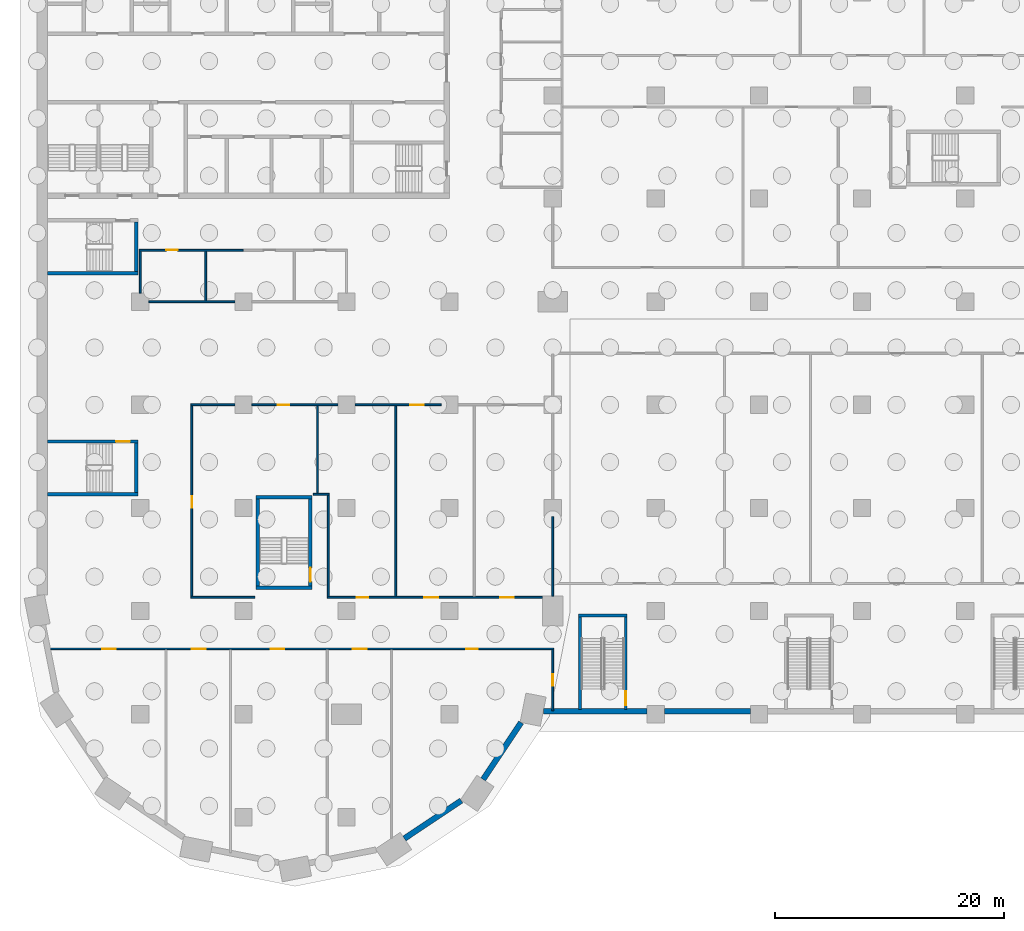
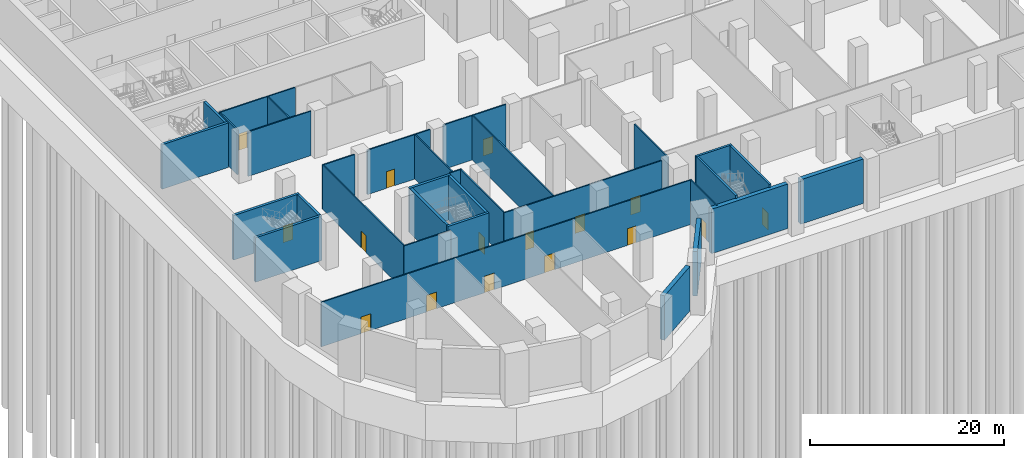
# One storey, part 4 of 25: 33 walls, 16 doors, 16 openings.
"""IFC4 building model written with IfcOpenShell, lengths in metres."""

from ifc_helpers import new_model, si_unit, direction, frame, frame_2d, origin, place, context, subcontext, project, spatial, rectangle, extrude, material, layer, layer_set, type_object, element, fill, save


model = new_model("IFC4")

# Units and contexts
model_context = context("Model", 3, precision=1e-05, world=origin(), true_north=direction((0.0, 1.0)))
body_context = subcontext(model_context, "Body", "Model", "MODEL_VIEW")
ifc_project = project(units=[si_unit("LENGTHUNIT", "METRE"), si_unit("AREAUNIT", "SQUARE_METRE"), si_unit("VOLUMEUNIT", "CUBIC_METRE"), si_unit("PLANEANGLEUNIT", "RADIAN"), si_unit("MASSUNIT", "GRAM", prefix="KILO")], contexts=[model_context])

# Site, building, storey
site_placement = place(None, origin())
site = spatial("IfcSite", under=ifc_project, at=site_placement, CompositionType="ELEMENT")
building_placement = place(site_placement, origin())
building = spatial("IfcBuilding", under=site, at=building_placement, Name="Hunhe Ridgeline Campus", CompositionType="ELEMENT")
storey_placement = place(building_placement, frame((0.0, 0.0, -6.0)))
storey = spatial("IfcBuildingStorey", under=building, at=storey_placement, Name="B1", CompositionType="ELEMENT", Elevation=-6.0)

# Walls
ifc_material_1 = material(Name="Concrete C50", Category="concrete")
ifc_layer_1 = layer(ifc_material_1, 0.5)
ifc_layer_set_1 = layer_set([ifc_layer_1], Name="Basement perimeter wall 500 C50")
wall_type_1 = type_object("IfcWallType", Name="Basement perimeter wall 500 C50", PredefinedType="SOLIDWALL", material=ifc_layer_set_1)
for number, where, z_axis, x_axis, name in (
    (1, (32.052490234375, 7.142822265625, 0.0), (0.0, 0.0, 1.0), (0.831458255421, 0.555587229417, 0.0), "Basement perimeter wall"),
    (2, (38.92431640625, 12.309814453125, 0.0), (0.0, 0.0, 1.0), (0.555540053211, 0.831489777014, 0.0), "Basement perimeter wall"),
):
    element("IfcWall", number, at=place(storey_placement, frame(where, z_axis=z_axis, x_axis=x_axis)), inside=storey, type_object=wall_type_1, Name=name, PredefinedType="SOLIDWALL", context=body_context, shape_type="SweptSolid", body=[
        extrude(rectangle(XDim=5.96826171875, YDim=0.5, at=frame_2d((2.984130859375, 0.0))), origin(), (0.0, 0.0, 1.0), 5.60009765625),
    ])
wall_1_placement = place(storey_placement, frame((44.177001953125, 18.25, 0.0), z_axis=(0.0, 0.0, 1.0), x_axis=(1.0, 0.0, 0.0)))
element("IfcWall", 3, at=wall_1_placement, inside=storey, type_object=wall_type_1, Name="Basement perimeter wall", PredefinedType="SOLIDWALL", context=body_context, shape_type="SweptSolid", body=[
    extrude(rectangle(XDim=9.072998046875, YDim=0.5, at=frame_2d((4.53662109375, 0.0))), origin(), (0.0, 0.0, 1.0), 5.60009765625),
])
wall_2_placement = place(storey_placement, frame((54.75, 18.25, 0.0), z_axis=(0.0, 0.0, 1.0), x_axis=(1.0, 0.0, 0.0)))
element("IfcWall", 4, at=wall_2_placement, inside=storey, type_object=wall_type_1, Name="Basement perimeter wall", PredefinedType="SOLIDWALL", context=body_context, shape_type="SweptSolid", body=[
    extrude(rectangle(XDim=7.5, YDim=0.5, at=frame_2d((3.75, 0.0))), origin(), (0.0, 0.0, 1.0), 5.60009765625),
])

# Wall, openings, doors
ifc_material_2 = material(Name="Plastered blockwork", Category="masonry")
ifc_layer_2 = layer(ifc_material_2, 0.14990234375)
ifc_layer_set_2 = layer_set([ifc_layer_2], Name="Blockwork partition 150")
wall_type_2 = type_object("IfcWallType", Name="Blockwork partition 150", PredefinedType="PARTITIONING", material=ifc_layer_set_2)
wall_3_placement = place(storey_placement, frame((0.96240234375, 23.699951171875, 0.0), z_axis=(0.0, 0.0, 1.0), x_axis=(1.0, 0.0, 0.0)))
wall_3 = element("IfcWall", 5, at=wall_3_placement, inside=storey, type_object=wall_type_2, Name="B1 partition", PredefinedType="PARTITIONING", context=body_context, shape_type="SweptSolid", body=[
    extrude(rectangle(XDim=44.112548828125, YDim=0.14990234375, at=frame_2d((22.05615234375, 0.0))), origin(), (0.0, 0.0, 1.0), 5.60009765625),
])
opening_1_placement = place(wall_3_placement, frame((4.70361328125, 0.0, 0.0)))
opening_1 = element("IfcOpeningElement", 6, at=opening_1_placement, cuts=wall_3, Name="Opening PD004", PredefinedType="OPENING", context=body_context, shape_type="SweptSolid", body=[
    extrude(rectangle(XDim=1.199951171875, YDim=2.10009765625, at=frame_2d((0.60009765625, 1.050048828125))), frame((0.0, 0.074951171875, 0.0), z_axis=(0.0, -1.0, 0.0), x_axis=(1.0, 0.0, 0.0)), (0.0, 0.0, 1.0), 0.14990234375),
])
opening_2_placement = place(wall_3_placement, frame((12.53759765625, 0.0, 0.0)))
opening_2 = element("IfcOpeningElement", 7, at=opening_2_placement, cuts=wall_3, Name="Opening PD005", PredefinedType="OPENING", context=body_context, shape_type="SweptSolid", body=[
    extrude(rectangle(XDim=1.199951171875, YDim=2.10009765625, at=frame_2d((0.60009765625, 1.050048828125))), frame((0.0, 0.074951171875, 0.0), z_axis=(0.0, -1.0, 0.0), x_axis=(1.0, 0.0, 0.0)), (0.0, 0.0, 1.0), 0.14990234375),
])
opening_3_placement = place(wall_3_placement, frame((19.41259765625, 0.0, 0.0)))
opening_3 = element("IfcOpeningElement", 8, at=opening_3_placement, cuts=wall_3, Name="Opening PD006", PredefinedType="OPENING", context=body_context, shape_type="SweptSolid", body=[
    extrude(rectangle(XDim=1.199951171875, YDim=2.10009765625, at=frame_2d((0.60009765625, 1.050048828125))), frame((0.0, 0.074951171875, 0.0), z_axis=(0.0, -1.0, 0.0), x_axis=(1.0, 0.0, 0.0)), (0.0, 0.0, 1.0), 0.14990234375),
])
opening_4_placement = place(wall_3_placement, frame((26.599609375, 0.0, 0.0)))
opening_4 = element("IfcOpeningElement", 9, at=opening_4_placement, cuts=wall_3, Name="Opening PD007", PredefinedType="OPENING", context=body_context, shape_type="SweptSolid", body=[
    extrude(rectangle(XDim=1.199951171875, YDim=2.10009765625, at=frame_2d((0.60009765625, 1.050048828125))), frame((0.0, 0.074951171875, 0.0), z_axis=(0.0, -1.0, 0.0), x_axis=(1.0, 0.0, 0.0)), (0.0, 0.0, 1.0), 0.14990234375),
])
opening_5_placement = place(wall_3_placement, frame((36.4755859375, 0.0, 0.0)))
opening_5 = element("IfcOpeningElement", 10, at=opening_5_placement, cuts=wall_3, Name="Opening PD008", PredefinedType="OPENING", context=body_context, shape_type="SweptSolid", body=[
    extrude(rectangle(XDim=1.0, YDim=2.10009765625, at=frame_2d((0.5, 1.050048828125))), frame((0.0, 0.074951171875, 0.0), z_axis=(0.0, -1.0, 0.0), x_axis=(1.0, 0.0, 0.0)), (0.0, 0.0, 1.0), 0.14990234375),
])
ifc_material_3 = material(Name="Steel Q235", Category="steel")
door_type_1 = type_object("IfcDoorType", Name="Podium fire door 1200x2100 FD60", OperationType="NOTDEFINED", PredefinedType="DOOR", material=ifc_material_3)
door_1_placement = place(opening_1_placement, origin())
door_1 = element("IfcDoor", 11, at=door_1_placement, inside=storey, type_object=door_type_1, Name="Heat Exchanger Plant door", OperationType="SINGLE_SWING_LEFT", OverallHeight=2.10009765625, OverallWidth=1.199951171875, PredefinedType="DOOR", context=body_context, shape_type="SweptSolid", body=[
    extrude(rectangle(XDim=1.199951171875, YDim=2.10009765625, at=frame_2d((0.60009765625, 1.050048828125))), frame((0.0, 0.02490234375, 0.0), z_axis=(0.0, -1.0, 0.0), x_axis=(1.0, 0.0, 0.0)), (0.0, 0.0, 1.0), 0.050048828125),
])
fill(opening_1, door_1)
door_2_placement = place(opening_2_placement, origin())
door_2 = element("IfcDoor", 12, at=door_2_placement, inside=storey, type_object=door_type_1, Name="Electrical Switch Room door", OperationType="SINGLE_SWING_LEFT", OverallHeight=2.10009765625, OverallWidth=1.199951171875, PredefinedType="DOOR", context=body_context, shape_type="SweptSolid", body=[
    extrude(rectangle(XDim=1.199951171875, YDim=2.10009765625, at=frame_2d((0.60009765625, 1.050048828125))), frame((0.0, 0.02490234375, 0.0), z_axis=(0.0, -1.0, 0.0), x_axis=(1.0, 0.0, 0.0)), (0.0, 0.0, 1.0), 0.050048828125),
])
fill(opening_2, door_2)
door_3_placement = place(opening_3_placement, origin())
door_3 = element("IfcDoor", 13, at=door_3_placement, inside=storey, type_object=door_type_1, Name="Water Tank Plant Room door", OperationType="SINGLE_SWING_LEFT", OverallHeight=2.10009765625, OverallWidth=1.199951171875, PredefinedType="DOOR", context=body_context, shape_type="SweptSolid", body=[
    extrude(rectangle(XDim=1.199951171875, YDim=2.10009765625, at=frame_2d((0.60009765625, 1.050048828125))), frame((0.0, 0.02490234375, 0.0), z_axis=(0.0, -1.0, 0.0), x_axis=(1.0, 0.0, 0.0)), (0.0, 0.0, 1.0), 0.050048828125),
])
fill(opening_3, door_3)
door_4_placement = place(opening_4_placement, origin())
door_4 = element("IfcDoor", 14, at=door_4_placement, inside=storey, type_object=door_type_1, Name="Sprinkler Pump Plant Room door", OperationType="SINGLE_SWING_RIGHT", OverallHeight=2.10009765625, OverallWidth=1.199951171875, PredefinedType="DOOR", context=body_context, shape_type="SweptSolid", body=[
    extrude(rectangle(XDim=1.199951171875, YDim=2.10009765625, at=frame_2d((0.60009765625, 1.050048828125))), frame((0.0, 0.02490234375, 0.0), z_axis=(0.0, -1.0, 0.0), x_axis=(1.0, 0.0, 0.0)), (0.0, 0.0, 1.0), 0.050048828125),
])
fill(opening_4, door_4)
ifc_material_4 = material(Name="Timber", Category="wood")
door_type_2 = type_object("IfcDoorType", Name="Podium timber door 1000x2100", OperationType="NOTDEFINED", PredefinedType="DOOR", material=ifc_material_4)
door_5_placement = place(opening_5_placement, origin())
door_5 = element("IfcDoor", 15, at=door_5_placement, inside=storey, type_object=door_type_2, Name="Bicycle Store door", OperationType="SINGLE_SWING_RIGHT", OverallHeight=2.10009765625, OverallWidth=1.0, PredefinedType="DOOR", context=body_context, shape_type="SweptSolid", body=[
    extrude(rectangle(XDim=1.0, YDim=2.10009765625, at=frame_2d((0.5, 1.050048828125))), frame((0.0, 0.02490234375, 0.0), z_axis=(0.0, -1.0, 0.0), x_axis=(1.0, 0.0, 0.0)), (0.0, 0.0, 1.0), 0.050048828125),
])
fill(opening_5, door_5)

# Wall, opening, door
wall_4_placement = place(storey_placement, frame((45.0, 23.625, 0.0), z_axis=(0.0, 0.0, 1.0), x_axis=(0.0, -1.0, 0.0)))
wall_4 = element("IfcWall", 16, at=wall_4_placement, inside=storey, type_object=wall_type_2, Name="B1 partition", PredefinedType="PARTITIONING", context=body_context, shape_type="SweptSolid", body=[
    extrude(rectangle(XDim=5.324951171875, YDim=0.14990234375, at=frame_2d((2.66259765625, 0.0))), origin(), (0.0, 0.0, 1.0), 5.60009765625),
])
opening_6_placement = place(wall_4_placement, frame((2.125, 0.0, 0.0)))
opening_6 = element("IfcOpeningElement", 17, at=opening_6_placement, cuts=wall_4, Name="Opening PD009", PredefinedType="OPENING", context=body_context, shape_type="SweptSolid", body=[
    extrude(rectangle(XDim=1.0, YDim=2.10009765625, at=frame_2d((0.5, 1.050048828125))), frame((0.0, 0.074951171875, 0.0), z_axis=(0.0, -1.0, 0.0), x_axis=(1.0, 0.0, 0.0)), (0.0, 0.0, 1.0), 0.14990234375),
])
door_6_placement = place(opening_6_placement, origin())
door_6 = element("IfcDoor", 18, at=door_6_placement, inside=storey, type_object=door_type_2, Name="Bicycle Store door", OperationType="SINGLE_SWING_LEFT", OverallHeight=2.10009765625, OverallWidth=1.0, PredefinedType="DOOR", context=body_context, shape_type="SweptSolid", body=[
    extrude(rectangle(XDim=1.0, YDim=2.10009765625, at=frame_2d((0.5, 1.050048828125))), frame((0.0, 0.02490234375, 0.0), z_axis=(0.0, -1.0, 0.0), x_axis=(1.0, 0.0, 0.0)), (0.0, 0.0, 1.0), 0.050048828125),
])
fill(opening_6, door_6)

# Walls
wall_5_placement = place(storey_placement, frame((45.0, 28.300048828125, 0.0), z_axis=(0.0, 0.0, 1.0), x_axis=(0.0, 1.0, 0.0)))
element("IfcWall", 19, at=wall_5_placement, inside=storey, type_object=wall_type_2, Name="B1 partition", PredefinedType="PARTITIONING", context=body_context, shape_type="SweptSolid", body=[
    extrude(rectangle(XDim=6.949951171875, YDim=0.14990234375, at=frame_2d((3.47509765625, 0.0))), origin(), (0.0, 0.0, 1.0), 5.60009765625),
])
wall_6_placement = place(storey_placement, frame((24.45703125, 37.27490234375, 0.0), z_axis=(0.0, 0.0, 1.0), x_axis=(0.0, 1.0, 0.0)))
element("IfcWall", 20, at=wall_6_placement, inside=storey, type_object=wall_type_2, Name="B1 partition", PredefinedType="PARTITIONING", context=body_context, shape_type="SweptSolid", body=[
    extrude(rectangle(XDim=7.650146484375, YDim=0.14990234375, at=frame_2d((3.8251953125, 0.0))), origin(), (0.0, 0.0, 1.0), 5.60009765625),
])
wall_7_placement = place(storey_placement, frame((25.47509765625, 37.199951171875, 0.0), z_axis=(0.0, 0.0, 1.0), x_axis=(-1.0, 0.0, 0.0)))
element("IfcWall", 21, at=wall_7_placement, inside=storey, type_object=wall_type_2, Name="B1 partition", PredefinedType="PARTITIONING", context=body_context, shape_type="SweptSolid", body=[
    extrude(rectangle(XDim=1.375, YDim=0.14990234375, at=frame_2d((0.6875, 0.0))), origin(), (0.0, 0.0, 1.0), 5.60009765625),
])
wall_8_placement = place(storey_placement, frame((19.0, 28.199951171875, 0.0), z_axis=(0.0, 0.0, 1.0), x_axis=(-1.0, 0.0, 0.0)))
element("IfcWall", 22, at=wall_8_placement, inside=storey, type_object=wall_type_2, Name="B1 partition", PredefinedType="PARTITIONING", context=body_context, shape_type="SweptSolid", body=[
    extrude(rectangle(XDim=5.574951171875, YDim=0.14990234375, at=frame_2d((2.78759765625, 0.0))), origin(), (0.0, 0.0, 1.0), 5.60009765625),
])

# Wall, openings, doors
wall_9_placement = place(storey_placement, frame((44.10009765625, 28.199951171875, 0.0), z_axis=(0.0, 0.0, 1.0), x_axis=(-1.0, 0.0, 0.0)))
wall_9 = element("IfcWall", 23, at=wall_9_placement, inside=storey, type_object=wall_type_2, Name="B1 partition", PredefinedType="PARTITIONING", context=body_context, shape_type="SweptSolid", body=[
    extrude(rectangle(XDim=18.775146484375, YDim=0.14990234375, at=frame_2d((9.3876953125, 0.0))), origin(), (0.0, 0.0, 1.0), 5.60009765625),
])
opening_7_placement = place(wall_9_placement, frame((15.199951171875, 0.0, 0.0)))
opening_7 = element("IfcOpeningElement", 24, at=opening_7_placement, cuts=wall_9, Name="Opening PD020", PredefinedType="OPENING", context=body_context, shape_type="SweptSolid", body=[
    extrude(rectangle(XDim=1.0, YDim=2.10009765625, at=frame_2d((0.5, 1.050048828125))), frame((0.0, 0.074951171875, 0.0), z_axis=(0.0, -1.0, 0.0), x_axis=(1.0, 0.0, 0.0)), (0.0, 0.0, 1.0), 0.14990234375),
])
opening_8_placement = place(wall_9_placement, frame((9.095947265625, 0.0, 0.0)))
opening_8 = element("IfcOpeningElement", 25, at=opening_8_placement, cuts=wall_9, Name="Opening PD021", PredefinedType="OPENING", context=body_context, shape_type="SweptSolid", body=[
    extrude(rectangle(XDim=1.199951171875, YDim=2.10009765625, at=frame_2d((0.60009765625, 1.050048828125))), frame((0.0, 0.074951171875, 0.0), z_axis=(0.0, -1.0, 0.0), x_axis=(1.0, 0.0, 0.0)), (0.0, 0.0, 1.0), 0.14990234375),
])
opening_9_placement = place(wall_9_placement, frame((2.498046875, 0.0, 0.0)))
opening_9 = element("IfcOpeningElement", 26, at=opening_9_placement, cuts=wall_9, Name="Opening PD024", PredefinedType="OPENING", context=body_context, shape_type="SweptSolid", body=[
    extrude(rectangle(XDim=1.199951171875, YDim=2.10009765625, at=frame_2d((0.60009765625, 1.050048828125))), frame((0.0, 0.074951171875, 0.0), z_axis=(0.0, -1.0, 0.0), x_axis=(1.0, 0.0, 0.0)), (0.0, 0.0, 1.0), 0.14990234375),
])
door_7_placement = place(opening_8_placement, origin())
door_7 = element("IfcDoor", 27, at=door_7_placement, inside=storey, type_object=door_type_1, Name="Electrical Intake Room door", OperationType="SINGLE_SWING_RIGHT", OverallHeight=2.10009765625, OverallWidth=1.199951171875, PredefinedType="DOOR", context=body_context, shape_type="SweptSolid", body=[
    extrude(rectangle(XDim=1.199951171875, YDim=2.10009765625, at=frame_2d((0.60009765625, 1.050048828125))), frame((0.0, 0.02490234375, 0.0), z_axis=(0.0, -1.0, 0.0), x_axis=(1.0, 0.0, 0.0)), (0.0, 0.0, 1.0), 0.050048828125),
])
fill(opening_8, door_7)
door_8_placement = place(opening_9_placement, origin())
door_8 = element("IfcDoor", 28, at=door_8_placement, inside=storey, type_object=door_type_1, Name="Communications Room door", OperationType="SINGLE_SWING_LEFT", OverallHeight=2.10009765625, OverallWidth=1.199951171875, PredefinedType="DOOR", context=body_context, shape_type="SweptSolid", body=[
    extrude(rectangle(XDim=1.199951171875, YDim=2.10009765625, at=frame_2d((0.60009765625, 1.050048828125))), frame((0.0, 0.02490234375, 0.0), z_axis=(0.0, -1.0, 0.0), x_axis=(1.0, 0.0, 0.0)), (0.0, 0.0, 1.0), 0.050048828125),
])
fill(opening_9, door_8)
door_9_placement = place(opening_7_placement, origin())
door_9 = element("IfcDoor", 29, at=door_9_placement, inside=storey, type_object=door_type_2, Name="Staff Rest Room door", OperationType="SINGLE_SWING_RIGHT", OverallHeight=2.10009765625, OverallWidth=1.0, PredefinedType="DOOR", context=body_context, shape_type="SweptSolid", body=[
    extrude(rectangle(XDim=1.0, YDim=2.10009765625, at=frame_2d((0.5, 1.050048828125))), frame((0.0, 0.02490234375, 0.0), z_axis=(0.0, -1.0, 0.0), x_axis=(1.0, 0.0, 0.0)), (0.0, 0.0, 1.0), 0.050048828125),
])
fill(opening_7, door_9)

# Wall, opening, door
wall_10_placement = place(storey_placement, frame((13.5, 28.27490234375, 0.0), z_axis=(0.0, 0.0, 1.0), x_axis=(0.0, 1.0, 0.0)))
wall_10 = element("IfcWall", 30, at=wall_10_placement, inside=storey, type_object=wall_type_2, Name="B1 partition", PredefinedType="PARTITIONING", context=body_context, shape_type="SweptSolid", body=[
    extrude(rectangle(XDim=16.650146484375, YDim=0.14990234375, at=frame_2d((8.3251953125, 0.0))), origin(), (0.0, 0.0, 1.0), 5.60009765625),
])
opening_10_placement = place(wall_10_placement, frame((7.75, 0.0, 0.0)))
opening_10 = element("IfcOpeningElement", 31, at=opening_10_placement, cuts=wall_10, Name="Opening PD018", PredefinedType="OPENING", context=body_context, shape_type="SweptSolid", body=[
    extrude(rectangle(XDim=1.0, YDim=2.10009765625, at=frame_2d((0.5, 1.050048828125))), frame((0.0, 0.074951171875, 0.0), z_axis=(0.0, -1.0, 0.0), x_axis=(1.0, 0.0, 0.0)), (0.0, 0.0, 1.0), 0.14990234375),
])
door_10_placement = place(opening_10_placement, origin())
door_10 = element("IfcDoor", 32, at=door_10_placement, inside=storey, type_object=door_type_2, Name="Staff Locker Room door", OperationType="SINGLE_SWING_LEFT", OverallHeight=2.10009765625, OverallWidth=1.0, PredefinedType="DOOR", context=body_context, shape_type="SweptSolid", body=[
    extrude(rectangle(XDim=1.0, YDim=2.10009765625, at=frame_2d((0.5, 1.050048828125))), frame((0.0, 0.02490234375, 0.0), z_axis=(0.0, -1.0, 0.0), x_axis=(1.0, 0.0, 0.0)), (0.0, 0.0, 1.0), 0.050048828125),
])
fill(opening_10, door_10)

# Wall
wall_11_placement = place(storey_placement, frame((13.425048828125, 45.0, 0.0), z_axis=(0.0, 0.0, 1.0), x_axis=(1.0, 0.0, 0.0)))
element("IfcWall", 33, at=wall_11_placement, inside=storey, type_object=wall_type_2, Name="B1 partition", PredefinedType="PARTITIONING", context=body_context, shape_type="SweptSolid", body=[
    extrude(rectangle(XDim=3.824951171875, YDim=0.14990234375, at=frame_2d((1.91259765625, 0.0))), origin(), (0.0, 0.0, 1.0), 5.60009765625),
])

# Wall, opening, door
wall_12_placement = place(storey_placement, frame((18.75, 45.0, 0.0), z_axis=(0.0, 0.0, 1.0), x_axis=(1.0, 0.0, 0.0)))
wall_12 = element("IfcWall", 34, at=wall_12_placement, inside=storey, type_object=wall_type_2, Name="B1 partition", PredefinedType="PARTITIONING", context=body_context, shape_type="SweptSolid", body=[
    extrude(rectangle(XDim=7.5, YDim=0.14990234375, at=frame_2d((3.75, 0.0))), origin(), (0.0, 0.0, 1.0), 5.60009765625),
])
opening_11_placement = place(wall_12_placement, frame((2.25, 0.0, 0.0)))
opening_11 = element("IfcOpeningElement", 35, at=opening_11_placement, cuts=wall_12, Name="Opening PD019", PredefinedType="OPENING", context=body_context, shape_type="SweptSolid", body=[
    extrude(rectangle(XDim=1.0, YDim=2.10009765625, at=frame_2d((0.5, 1.050048828125))), frame((0.0, 0.074951171875, 0.0), z_axis=(0.0, -1.0, 0.0), x_axis=(1.0, 0.0, 0.0)), (0.0, 0.0, 1.0), 0.14990234375),
])
door_11_placement = place(opening_11_placement, origin())
door_11 = element("IfcDoor", 36, at=door_11_placement, inside=storey, type_object=door_type_2, Name="Staff Locker Room door", OperationType="SINGLE_SWING_LEFT", OverallHeight=2.10009765625, OverallWidth=1.0, PredefinedType="DOOR", context=body_context, shape_type="SweptSolid", body=[
    extrude(rectangle(XDim=1.0, YDim=2.10009765625, at=frame_2d((0.5, 1.050048828125))), frame((0.0, 0.02490234375, 0.0), z_axis=(0.0, -1.0, 0.0), x_axis=(1.0, 0.0, 0.0)), (0.0, 0.0, 1.0), 0.050048828125),
])
fill(opening_11, door_11)

wall_13_placement = place(storey_placement, frame((27.75, 45.0, 0.0), z_axis=(0.0, 0.0, 1.0), x_axis=(1.0, 0.0, 0.0)))
wall_13 = element("IfcWall", 37, at=wall_13_placement, inside=storey, type_object=wall_type_2, Name="B1 partition", PredefinedType="PARTITIONING", context=body_context, shape_type="SweptSolid", body=[
    extrude(rectangle(XDim=7.5, YDim=0.14990234375, at=frame_2d((3.75, 0.0))), origin(), (0.0, 0.0, 1.0), 5.60009765625),
])
opening_12_placement = place(wall_13_placement, frame((4.803955078125, 0.0, 0.0)))
opening_12 = element("IfcOpeningElement", 38, at=opening_12_placement, cuts=wall_13, Name="Opening PD022", PredefinedType="OPENING", context=body_context, shape_type="SweptSolid", body=[
    extrude(rectangle(XDim=1.199951171875, YDim=2.10009765625, at=frame_2d((0.60009765625, 1.050048828125))), frame((0.0, 0.074951171875, 0.0), z_axis=(0.0, -1.0, 0.0), x_axis=(1.0, 0.0, 0.0)), (0.0, 0.0, 1.0), 0.14990234375),
])
door_12_placement = place(opening_12_placement, origin())
door_12 = element("IfcDoor", 39, at=door_12_placement, inside=storey, type_object=door_type_1, Name="Electrical Intake Room door", OperationType="SINGLE_SWING_RIGHT", OverallHeight=2.10009765625, OverallWidth=1.199951171875, PredefinedType="DOOR", context=body_context, shape_type="SweptSolid", body=[
    extrude(rectangle(XDim=1.199951171875, YDim=2.10009765625, at=frame_2d((0.60009765625, 1.050048828125))), frame((0.0, 0.02490234375, 0.0), z_axis=(0.0, -1.0, 0.0), x_axis=(1.0, 0.0, 0.0)), (0.0, 0.0, 1.0), 0.050048828125),
])
fill(opening_12, door_12)

# Walls
wall_14_placement = place(storey_placement, frame((31.303955078125, 28.27490234375, 0.0), z_axis=(0.0, 0.0, 1.0), x_axis=(0.0, 1.0, 0.0)))
element("IfcWall", 40, at=wall_14_placement, inside=storey, type_object=wall_type_2, Name="B1 partition", PredefinedType="PARTITIONING", context=body_context, shape_type="SweptSolid", body=[
    extrude(rectangle(XDim=16.650146484375, YDim=0.14990234375, at=frame_2d((8.3251953125, 0.0))), origin(), (0.0, 0.0, 1.0), 5.60009765625),
])
wall_15_placement = place(storey_placement, frame((25.39990234375, 28.27490234375, 0.0), z_axis=(0.0, 0.0, 1.0), x_axis=(0.0, 1.0, 0.0)))
element("IfcWall", 41, at=wall_15_placement, inside=storey, type_object=wall_type_2, Name="B1 partition", PredefinedType="PARTITIONING", context=body_context, shape_type="SweptSolid", body=[
    extrude(rectangle(XDim=8.85009765625, YDim=0.14990234375, at=frame_2d((4.425048828125, 0.0))), origin(), (0.0, 0.0, 1.0), 5.60009765625),
])
wall_16_placement = place(storey_placement, frame((14.714111328125, 54.074951171875, 0.0), z_axis=(0.0, 0.0, 1.0), x_axis=(0.0, 1.0, 0.0)))
element("IfcWall", 42, at=wall_16_placement, inside=storey, type_object=wall_type_2, Name="B1 partition", PredefinedType="PARTITIONING", context=body_context, shape_type="SweptSolid", body=[
    extrude(rectangle(XDim=4.35009765625, YDim=0.14990234375, at=frame_2d((2.175048828125, 0.0))), origin(), (0.0, 0.0, 1.0), 5.60009765625),
])
wall_17_placement = place(storey_placement, frame((17.25, 54.0, 0.0), z_axis=(0.0, 0.0, 1.0), x_axis=(-1.0, 0.0, 0.0)))
element("IfcWall", 43, at=wall_17_placement, inside=storey, type_object=wall_type_2, Name="B1 partition", PredefinedType="PARTITIONING", context=body_context, shape_type="SweptSolid", body=[
    extrude(rectangle(XDim=7.5, YDim=0.14990234375, at=frame_2d((3.75, 0.0))), origin(), (0.0, 0.0, 1.0), 5.60009765625),
])
wall_18_placement = place(storey_placement, frame((9.0, 54.75, 0.0), z_axis=(0.0, 0.0, 1.0), x_axis=(0.0, 1.0, 0.0)))
element("IfcWall", 44, at=wall_18_placement, inside=storey, type_object=wall_type_2, Name="B1 partition", PredefinedType="PARTITIONING", context=body_context, shape_type="SweptSolid", body=[
    extrude(rectangle(XDim=3.675048828125, YDim=0.14990234375, at=frame_2d((1.83740234375, 0.0))), origin(), (0.0, 0.0, 1.0), 5.60009765625),
])

# Wall, opening, door
wall_19_placement = place(storey_placement, frame((8.925048828125, 58.5, 0.0), z_axis=(0.0, 0.0, 1.0), x_axis=(1.0, 0.0, 0.0)))
wall_19 = element("IfcWall", 45, at=wall_19_placement, inside=storey, type_object=wall_type_2, Name="B1 partition", PredefinedType="PARTITIONING", context=body_context, shape_type="SweptSolid", body=[
    extrude(rectangle(XDim=9.044921875, YDim=0.14990234375, at=frame_2d((4.5224609375, 0.0))), origin(), (0.0, 0.0, 1.0), 5.60009765625),
])
opening_13_placement = place(wall_19_placement, frame((2.324951171875, 0.0, 0.0)))
opening_13 = element("IfcOpeningElement", 46, at=opening_13_placement, cuts=wall_19, Name="Opening PD025", PredefinedType="OPENING", context=body_context, shape_type="SweptSolid", body=[
    extrude(rectangle(XDim=1.0, YDim=2.10009765625, at=frame_2d((0.5, 1.050048828125))), frame((0.0, 0.074951171875, 0.0), z_axis=(0.0, -1.0, 0.0), x_axis=(1.0, 0.0, 0.0)), (0.0, 0.0, 1.0), 0.14990234375),
])
door_13_placement = place(opening_13_placement, origin())
door_13 = element("IfcDoor", 47, at=door_13_placement, inside=storey, type_object=door_type_2, Name="Bicycle Repair Workshop door", OperationType="SINGLE_SWING_LEFT", OverallHeight=2.10009765625, OverallWidth=1.0, PredefinedType="DOOR", context=body_context, shape_type="SweptSolid", body=[
    extrude(rectangle(XDim=1.0, YDim=2.10009765625, at=frame_2d((0.5, 1.050048828125))), frame((0.0, 0.02490234375, 0.0), z_axis=(0.0, -1.0, 0.0), x_axis=(1.0, 0.0, 0.0)), (0.0, 0.0, 1.0), 0.050048828125),
])
fill(opening_13, door_13)

# Wall
ifc_material_5 = material(Name="Concrete C40", Category="concrete")
ifc_layer_3 = layer(ifc_material_5, 0.25)
ifc_layer_set_3 = layer_set([ifc_layer_3], Name="Stair shaft wall 250 C40")
wall_type_3 = type_object("IfcWallType", Name="Stair shaft wall 250 C40", PredefinedType="SOLIDWALL", material=ifc_layer_set_3)
wall_20_placement = place(storey_placement, frame((47.375, 18.39990234375, 0.0), z_axis=(0.0, 0.0, 1.0), x_axis=(0.0, 1.0, 0.0)))
element("IfcWall", 48, at=wall_20_placement, inside=storey, type_object=wall_type_3, Name="B1 PS1 shaft wall", PredefinedType="SOLIDWALL", context=body_context, shape_type="SweptSolid", body=[
    extrude(rectangle(XDim=8.10009765625, YDim=0.25, at=frame_2d((4.050048828125, 0.0))), origin(), (0.0, 0.0, 1.0), 6.0),
])

# Wall, opening, door
wall_21_placement = place(storey_placement, frame((51.375, 26.5, 0.0), z_axis=(0.0, 0.0, 1.0), x_axis=(0.0, -1.0, 0.0)))
wall_21 = element("IfcWall", 49, at=wall_21_placement, inside=storey, type_object=wall_type_3, Name="B1 PS1 shaft wall", PredefinedType="SOLIDWALL", context=body_context, shape_type="SweptSolid", body=[
    extrude(rectangle(XDim=8.10009765625, YDim=0.25, at=frame_2d((4.050048828125, 0.0))), origin(), (0.0, 0.0, 1.0), 6.0),
])
opening_14_placement = place(wall_21_placement, frame((6.5, 0.0, 0.0)))
opening_14 = element("IfcOpeningElement", 50, at=opening_14_placement, cuts=wall_21, Name="Opening PD001", PredefinedType="OPENING", context=body_context, shape_type="SweptSolid", body=[
    extrude(rectangle(XDim=1.199951171875, YDim=2.10009765625, at=frame_2d((0.60009765625, 1.050048828125))), frame((0.0, 0.125, 0.0), z_axis=(0.0, -1.0, 0.0), x_axis=(1.0, 0.0, 0.0)), (0.0, 0.0, 1.0), 0.25),
])
door_14_placement = place(opening_14_placement, origin())
door_14 = element("IfcDoor", 51, at=door_14_placement, inside=storey, type_object=door_type_1, Name="Stair door PS1", OperationType="SINGLE_SWING_LEFT", OverallHeight=2.10009765625, OverallWidth=1.199951171875, PredefinedType="DOOR", context=body_context, shape_type="SweptSolid", body=[
    extrude(rectangle(XDim=1.199951171875, YDim=2.10009765625, at=frame_2d((0.60009765625, 1.050048828125))), frame((0.0, 0.02490234375, 0.0), z_axis=(0.0, -1.0, 0.0), x_axis=(1.0, 0.0, 0.0)), (0.0, 0.0, 1.0), 0.050048828125),
])
fill(opening_14, door_14)

# Walls
wall_22_placement = place(storey_placement, frame((47.25, 26.625, 0.0), z_axis=(0.0, 0.0, 1.0), x_axis=(1.0, 0.0, 0.0)))
element("IfcWall", 52, at=wall_22_placement, inside=storey, type_object=wall_type_3, Name="B1 PS1 shaft wall", PredefinedType="SOLIDWALL", context=body_context, shape_type="SweptSolid", body=[
    extrude(rectangle(XDim=4.25, YDim=0.25, at=frame_2d((2.125, 0.0))), origin(), (0.0, 0.0, 1.0), 6.0),
])
ifc_material_6 = material(Name="Concrete C80", Category="concrete")
ifc_layer_4 = layer(ifc_material_6, 0.300048828125)
ifc_layer_set_4 = layer_set([ifc_layer_4], Name="Stair wall 300 reinforced concrete C80")
wall_type_4 = type_object("IfcWallType", Name="Stair wall 300 reinforced concrete C80", PredefinedType="SOLIDWALL", material=ifc_layer_set_4)
for number, where, z_axis, x_axis, name in (
    (53, (19.10009765625, 29.050048828125, 0.0), (0.0, 0.0, 1.0), (1.0, 0.0, 0.0), "B1 core wall 1"),
    (54, (19.10009765625, 36.949951171875, 0.0), (0.0, 0.0, 1.0), (1.0, 0.0, 0.0), "B1 core wall 2"),
):
    element("IfcWall", number, at=place(storey_placement, frame(where, z_axis=z_axis, x_axis=x_axis)), inside=storey, type_object=wall_type_4, Name=name, PredefinedType="SOLIDWALL", context=body_context, shape_type="SweptSolid", body=[
        extrude(rectangle(XDim=4.89990234375, YDim=0.300048828125, at=frame_2d((2.449951171875, 0.0))), origin(), (0.0, 0.0, 1.0), 5.60009765625),
    ])
wall_23_placement = place(storey_placement, frame((0.89990234375, 37.199951171875, 0.0), z_axis=(0.0, 0.0, 1.0), x_axis=(1.0, 0.0, 0.0)))
element("IfcWall", 55, at=wall_23_placement, inside=storey, type_object=wall_type_4, Name="B1 core wall 3", PredefinedType="SOLIDWALL", context=body_context, shape_type="SweptSolid", body=[
    extrude(rectangle(XDim=7.900146484375, YDim=0.300048828125, at=frame_2d((3.9501953125, 0.0))), origin(), (0.0, 0.0, 1.0), 5.60009765625),
])

# Wall, opening, door
wall_24_placement = place(storey_placement, frame((0.89990234375, 41.800048828125, 0.0), z_axis=(0.0, 0.0, 1.0), x_axis=(1.0, 0.0, 0.0)))
wall_24 = element("IfcWall", 56, at=wall_24_placement, inside=storey, type_object=wall_type_4, Name="B1 core wall 4", PredefinedType="SOLIDWALL", context=body_context, shape_type="SweptSolid", body=[
    extrude(rectangle(XDim=7.900146484375, YDim=0.300048828125, at=frame_2d((3.9501953125, 0.0))), origin(), (0.0, 0.0, 1.0), 5.60009765625),
])
opening_15_placement = place(wall_24_placement, frame((6.0, 0.0, 0.0)))
opening_15 = element("IfcOpeningElement", 57, at=opening_15_placement, cuts=wall_24, Name="Opening CD21", PredefinedType="OPENING", context=body_context, shape_type="SweptSolid", body=[
    extrude(rectangle(XDim=1.199951171875, YDim=2.10009765625, at=frame_2d((0.60009765625, 1.050048828125))), frame((0.0, 0.14990234375, 0.0), z_axis=(0.0, -1.0, 0.0), x_axis=(1.0, 0.0, 0.0)), (0.0, 0.0, 1.0), 0.300048828125),
])
ifc_material_7 = material(Name="Hollow metal fire door leaf")
door_type_3 = type_object("IfcDoorType", Name="Stair door 1200x2100 FD60", OperationType="SINGLE_SWING_LEFT", PredefinedType="DOOR", material=ifc_material_7)
door_15_placement = place(opening_15_placement, origin())
door_15 = element("IfcDoor", 58, at=door_15_placement, inside=storey, type_object=door_type_3, Name="B1 door W1", OperationType="SINGLE_SWING_LEFT", OverallHeight=2.10009765625, OverallWidth=1.199951171875, PredefinedType="DOOR", context=body_context, shape_type="SweptSolid", body=[
    extrude(rectangle(XDim=1.199951171875, YDim=2.10009765625, at=frame_2d((0.60009765625, 1.050048828125))), frame((0.0, 0.02490234375, 0.0), z_axis=(0.0, -1.0, 0.0), x_axis=(1.0, 0.0, 0.0)), (0.0, 0.0, 1.0), 0.050048828125),
])
fill(opening_15, door_15)

# Walls
wall_25_placement = place(storey_placement, frame((0.89990234375, 56.5, 0.0), z_axis=(0.0, 0.0, 1.0), x_axis=(1.0, 0.0, 0.0)))
element("IfcWall", 59, at=wall_25_placement, inside=storey, type_object=wall_type_4, Name="B1 core wall 5", PredefinedType="SOLIDWALL", context=body_context, shape_type="SweptSolid", body=[
    extrude(rectangle(XDim=7.900146484375, YDim=0.300048828125, at=frame_2d((3.9501953125, 0.0))), origin(), (0.0, 0.0, 1.0), 5.60009765625),
])
wall_26_placement = place(storey_placement, frame((8.64990234375, 37.35009765625, 0.0), z_axis=(0.0, 0.0, 1.0), x_axis=(0.0, 1.0, 0.0)))
element("IfcWall", 60, at=wall_26_placement, inside=storey, type_object=wall_type_4, Name="B1 core wall 41", PredefinedType="SOLIDWALL", context=body_context, shape_type="SweptSolid", body=[
    extrude(rectangle(XDim=4.2998046875, YDim=0.300048828125, at=frame_2d((2.14990234375, 0.0))), origin(), (0.0, 0.0, 1.0), 5.60009765625),
])
wall_27_placement = place(storey_placement, frame((8.64990234375, 56.64990234375, 0.0), z_axis=(0.0, 0.0, 1.0), x_axis=(0.0, 1.0, 0.0)))
element("IfcWall", 61, at=wall_27_placement, inside=storey, type_object=wall_type_4, Name="B1 core wall 42", PredefinedType="SOLIDWALL", context=body_context, shape_type="SweptSolid", body=[
    extrude(rectangle(XDim=4.300048828125, YDim=0.300048828125, at=frame_2d((2.14990234375, 0.0))), origin(), (0.0, 0.0, 1.0), 5.60009765625),
])
wall_28_placement = place(storey_placement, frame((19.25, 29.199951171875, 0.0), z_axis=(0.0, 0.0, 1.0), x_axis=(0.0, 1.0, 0.0)))
element("IfcWall", 62, at=wall_28_placement, inside=storey, type_object=wall_type_4, Name="B1 core wall 51", PredefinedType="SOLIDWALL", context=body_context, shape_type="SweptSolid", body=[
    extrude(rectangle(XDim=7.60009765625, YDim=0.300048828125, at=frame_2d((3.800048828125, 0.0))), origin(), (0.0, 0.0, 1.0), 5.60009765625),
])

# Wall, opening, door
wall_29_placement = place(storey_placement, frame((23.85009765625, 29.199951171875, 0.0), z_axis=(0.0, 0.0, 1.0), x_axis=(0.0, 1.0, 0.0)))
wall_29 = element("IfcWall", 63, at=wall_29_placement, inside=storey, type_object=wall_type_4, Name="B1 core wall 56", PredefinedType="SOLIDWALL", context=body_context, shape_type="SweptSolid", body=[
    extrude(rectangle(XDim=7.60009765625, YDim=0.300048828125, at=frame_2d((3.800048828125, 0.0))), origin(), (0.0, 0.0, 1.0), 5.60009765625),
])
opening_16_placement = place(wall_29_placement, frame((0.375, 0.0, 0.0)))
opening_16 = element("IfcOpeningElement", 64, at=opening_16_placement, cuts=wall_29, Name="Opening CD23", PredefinedType="OPENING", context=body_context, shape_type="SweptSolid", body=[
    extrude(rectangle(XDim=1.199951171875, YDim=2.10009765625, at=frame_2d((0.60009765625, 1.050048828125))), frame((0.0, 0.14990234375, 0.0), z_axis=(0.0, -1.0, 0.0), x_axis=(1.0, 0.0, 0.0)), (0.0, 0.0, 1.0), 0.300048828125),
])
door_16_placement = place(opening_16_placement, frame((1.199951171875, 0.0, 0.0), z_axis=(0.0, 0.0, 1.0), x_axis=(-1.0, 0.0, 0.0)))
door_16 = element("IfcDoor", 65, at=door_16_placement, inside=storey, type_object=door_type_3, Name="B1 door W3", OperationType="SINGLE_SWING_RIGHT", OverallHeight=2.10009765625, OverallWidth=1.199951171875, PredefinedType="DOOR", context=body_context, shape_type="SweptSolid", body=[
    extrude(rectangle(XDim=1.199951171875, YDim=2.10009765625, at=frame_2d((0.60009765625, 1.050048828125))), frame((0.0, 0.02490234375, 0.0), z_axis=(0.0, -1.0, 0.0), x_axis=(1.0, 0.0, 0.0)), (0.0, 0.0, 1.0), 0.050048828125),
])
fill(opening_16, door_16)

save(model, "model.ifc")
